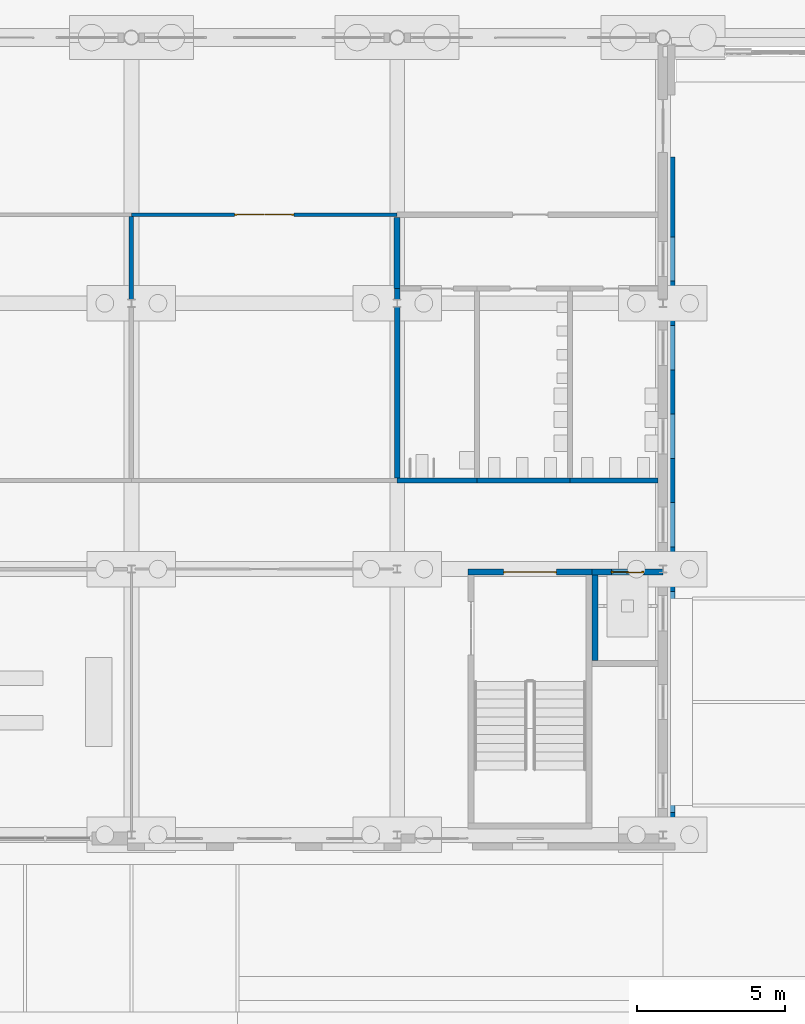
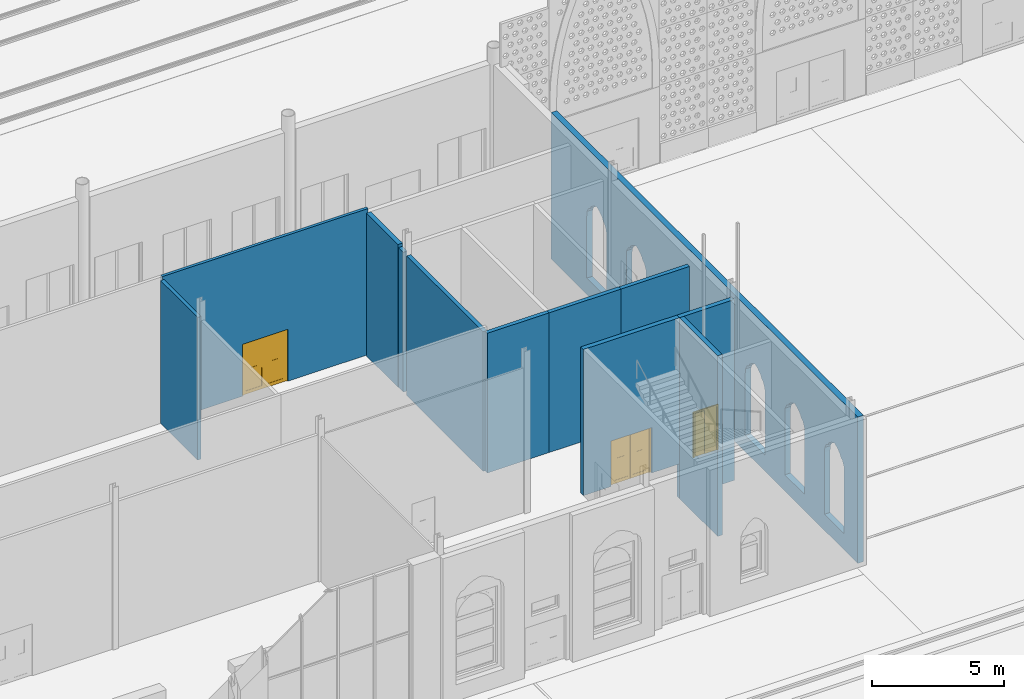
# One storey, part 117 of 250: 12 walls, 3 doors, 3 openings.
"""IFC4 building model written with IfcOpenShell, lengths in metres."""

from ifc_helpers import new_model, si_unit, direction, frame, frame_2d, origin, place, context, subcontext, project, spatial, polyline, rectangle, outline, extrude, material, layer, layer_set, type_object, element, fill, save


model = new_model("IFC4")

# Units and contexts
model_context = context("Model", 3, precision=1e-05, world=origin(), true_north=direction((0.0, 1.0)))
body_context = subcontext(model_context, "Body", "Model", "MODEL_VIEW")
ifc_project = project(units=[si_unit("LENGTHUNIT", "METRE"), si_unit("AREAUNIT", "SQUARE_METRE"), si_unit("VOLUMEUNIT", "CUBIC_METRE"), si_unit("PLANEANGLEUNIT", "RADIAN"), si_unit("MASSUNIT", "GRAM", prefix="KILO")], contexts=[model_context])

# Site, building, storey
site_placement = place(None, origin())
site = spatial("IfcSite", under=ifc_project, at=site_placement, CompositionType="ELEMENT")
building_placement = place(site_placement, origin())
building = spatial("IfcBuilding", under=site, at=building_placement, Name="Baradari Gate Terminus", CompositionType="ELEMENT")
storey_placement = place(building_placement, origin())
storey = spatial("IfcBuildingStorey", under=building, at=storey_placement, Name="L00", CompositionType="ELEMENT", Elevation=0.0)

# Wall, opening, door
ifc_material_1 = material(Name="Gypsum board")
ifc_layer_1 = layer(ifc_material_1, 0.125)
ifc_layer_set_1 = layer_set([ifc_layer_1], Name="Gypsum board")
wall_type_1 = type_object("IfcWallType", Name="Corridor partition PT-5 125 EI 30", PredefinedType="PARTITIONING", material=ifc_layer_set_1)
wall_1_placement = place(storey_placement, frame((144.0, 30.0, 0.0), z_axis=(0.0, 0.0, 1.0), x_axis=(-1.0, 0.0, 0.0)))
wall_1 = element("IfcWall", 1, at=wall_1_placement, inside=storey, type_object=wall_type_1, Name="PT-5 partition Corridor (Platform Passage South) / Staff Mess", PredefinedType="PARTITIONING", context=body_context, shape_type="SweptSolid", body=[
    extrude(rectangle(XDim=9.0, YDim=0.125, at=frame_2d((4.5, 0.0))), origin(), (0.0, 0.0, 1.0), 6.757080078125),
])
opening_1_placement = place(wall_1_placement, frame((3.5, 0.0, 0.0)))
opening_1 = element("IfcOpeningElement", 2, at=opening_1_placement, cuts=wall_1, Name="Opening D00-136", PredefinedType="OPENING", context=body_context, shape_type="SweptSolid", body=[
    extrude(rectangle(XDim=2.0, YDim=2.39990234375, at=frame_2d((1.0, 1.199951171875))), frame((0.0, 0.072509765625, 0.0), z_axis=(0.0, -1.0, 0.0), x_axis=(1.0, 0.0, 0.0)), (0.0, 0.0, 1.0), 0.14501953125),
])
ifc_material_2 = material(Name="Steel S275", Category="steel")
door_type_1 = type_object("IfcDoorType", Name="Fire door FI-2000x2400-FD30S 2000x2400 FD30S", OperationType="DOUBLE_DOOR_SINGLE_SWING", PredefinedType="DOOR", material=ifc_material_2)
door_1_placement = place(opening_1_placement, frame((2.0, 0.0, 0.0), z_axis=(0.0, 0.0, 1.0), x_axis=(-1.0, 0.0, 0.0)))
door_1 = element("IfcDoor", 3, at=door_1_placement, inside=storey, type_object=door_type_1, Name="Door Staff Mess", OperationType="DOUBLE_DOOR_SINGLE_SWING", OverallHeight=2.4, OverallWidth=2.0, PredefinedType="DOOR", context=body_context, shape_type="SweptSolid", body=[
    extrude(outline(polyline([(0.0, 0.0), (0.070068359375, 0.0), (0.070068359375, 2.329833984375), (1.929931640625, 2.329833984375), (1.929931640625, 0.0), (2.0, 0.0), (2.0, 2.39990234375), (0.0, 2.39990234375), (0.0, 0.0)])), frame((0.0, 0.02490234375, 0.0), z_axis=(0.0, -1.0, 0.0), x_axis=(1.0, 0.0, 0.0)), (0.0, 0.0, 1.0), 0.050048828125),
    extrude(outline(polyline([(0.073974609375, 0.010009765625), (0.9970703125, 0.010009765625), (0.9970703125, 2.325927734375), (0.073974609375, 2.325927734375), (0.073974609375, 0.010009765625)]), holes=[polyline([(0.194091796875, 0.159912109375), (0.876953125, 0.159912109375), (0.876953125, 1.010009765625), (0.194091796875, 1.010009765625), (0.194091796875, 0.159912109375)]), polyline([(0.385498046875, 1.159912109375), (0.685546875, 1.159912109375), (0.685546875, 1.760009765625), (0.385498046875, 1.760009765625), (0.385498046875, 1.159912109375)])]), frame((0.0, 0.017333984375, 0.0), z_axis=(0.0, -1.0, 0.0), x_axis=(1.0, 0.0, 0.0)), (0.0, 0.0, 1.0), 0.034912109375),
    extrude(rectangle(XDim=0.682861328125, YDim=0.85009765625, at=frame_2d((0.53564453125, 0.5849609375))), frame((0.0, 0.008544921875, 0.0), z_axis=(0.0, -1.0, 0.0), x_axis=(1.0, 0.0, 0.0)), (0.0, 0.0, 1.0), 0.017333984375),
    extrude(rectangle(XDim=0.300048828125, YDim=0.60009765625, at=frame_2d((0.53564453125, 1.4599609375))), frame((0.0, 0.005859375, 0.0), z_axis=(0.0, -1.0, 0.0), x_axis=(1.0, 0.0, 0.0)), (0.0, 0.0, 1.0), 0.011962890625),
    extrude(outline(polyline([(1.0029296875, 0.010009765625), (1.926025390625, 0.010009765625), (1.926025390625, 2.325927734375), (1.0029296875, 2.325927734375), (1.0029296875, 0.010009765625)]), holes=[polyline([(1.123046875, 0.159912109375), (1.805908203125, 0.159912109375), (1.805908203125, 1.010009765625), (1.123046875, 1.010009765625), (1.123046875, 0.159912109375)]), polyline([(1.314453125, 1.159912109375), (1.614501953125, 1.159912109375), (1.614501953125, 1.760009765625), (1.314453125, 1.760009765625), (1.314453125, 1.159912109375)])]), frame((0.0, 0.017333984375, 0.0), z_axis=(0.0, -1.0, 0.0), x_axis=(1.0, 0.0, 0.0)), (0.0, 0.0, 1.0), 0.034912109375),
    extrude(rectangle(XDim=0.682861328125, YDim=0.85009765625, at=frame_2d((1.46435546875, 0.5849609375))), frame((0.0, 0.008544921875, 0.0), z_axis=(0.0, -1.0, 0.0), x_axis=(1.0, 0.0, 0.0)), (0.0, 0.0, 1.0), 0.017333984375),
    extrude(rectangle(XDim=0.300048828125, YDim=0.60009765625, at=frame_2d((1.46435546875, 1.4599609375))), frame((0.0, 0.005859375, 0.0), z_axis=(0.0, -1.0, 0.0), x_axis=(1.0, 0.0, 0.0)), (0.0, 0.0, 1.0), 0.011962890625),
])
fill(opening_1, door_1)

# Wall
ifc_material_3 = material(Name="Laterite masonry", Category="masonry")
ifc_layer_2 = layer(ifc_material_3, 0.25)
ifc_layer_set_2 = layer_set([ifc_layer_2], Name="Laterite masonry")
wall_type_2 = type_object("IfcWallType", Name="Laterite masonry wall WP-1 250", PredefinedType="SOLIDWALL", material=ifc_layer_set_2)
wall_2_placement = place(storey_placement, frame((153.284912109375, 8.72998046875, 0.0), z_axis=(0.0, 0.0, 1.0), x_axis=(0.0, 1.0, 0.0)))
element("IfcWall", 4, at=wall_2_placement, inside=storey, type_object=wall_type_2, Name="Front course SE 1a 1", PredefinedType="SOLIDWALL", context=body_context, shape_type="SweptSolid", body=[
    extrude(outline(polyline([(0.0, 0.0), (23.219970703125, 0.0), (23.219970703125, 6.767333984375), (0.0, 6.767333984375), (0.0, 0.0)]), holes=[polyline([(1.0498046875, 3.85205078125), (1.169921875, 4.068115234375), (1.27490234375, 4.1220703125), (1.364990234375, 4.26611328125), (1.559814453125, 4.409912109375), (1.77001953125, 4.5), (1.97998046875, 4.409912109375), (2.1748046875, 4.26611328125), (2.264892578125, 4.1220703125), (2.369873046875, 4.068115234375), (2.489990234375, 3.85205078125), (2.52001953125, 3.60009765625), (2.52001953125, 0.75), (1.02001953125, 0.75), (1.02001953125, 3.60009765625), (1.0498046875, 3.85205078125)]), polyline([(4.169921875, 4.068115234375), (4.27490234375, 4.1220703125), (4.364990234375, 4.26611328125), (4.559814453125, 4.409912109375), (4.77001953125, 4.5), (4.97998046875, 4.409912109375), (5.1748046875, 4.26611328125), (5.264892578125, 4.1220703125), (5.369873046875, 4.068115234375), (5.489990234375, 3.85205078125), (5.52001953125, 3.60009765625), (5.52001953125, 0.75), (4.02001953125, 0.75), (4.02001953125, 3.60009765625), (4.0498046875, 3.85205078125), (4.169921875, 4.068115234375)]), polyline([(7.169921875, 4.068115234375), (7.27490234375, 4.1220703125), (7.364990234375, 4.26611328125), (7.559814453125, 4.409912109375), (7.77001953125, 4.5), (7.97998046875, 4.409912109375), (8.1748046875, 4.26611328125), (8.264892578125, 4.1220703125), (8.369873046875, 4.068115234375), (8.489990234375, 3.85205078125), (8.52001953125, 3.60009765625), (8.52001953125, 0.75), (7.02001953125, 0.75), (7.02001953125, 3.60009765625), (7.0498046875, 3.85205078125), (7.169921875, 4.068115234375)]), polyline([(10.169921875, 4.068115234375), (10.27490234375, 4.1220703125), (10.364990234375, 4.26611328125), (10.56005859375, 4.409912109375), (10.77001953125, 4.5), (10.97998046875, 4.409912109375), (11.175048828125, 4.26611328125), (11.264892578125, 4.1220703125), (11.3701171875, 4.068115234375), (11.489990234375, 3.85205078125), (11.52001953125, 3.60009765625), (11.52001953125, 0.75), (10.02001953125, 0.75), (10.02001953125, 3.60009765625), (10.050048828125, 3.85205078125), (10.169921875, 4.068115234375)]), polyline([(13.169921875, 4.068115234375), (13.27490234375, 4.1220703125), (13.364990234375, 4.26611328125), (13.559814453125, 4.409912109375), (13.77001953125, 4.5), (13.97998046875, 4.409912109375), (14.1748046875, 4.26611328125), (14.264892578125, 4.1220703125), (14.369873046875, 4.068115234375), (14.489990234375, 3.85205078125), (14.52001953125, 3.60009765625), (14.52001953125, 0.75), (13.02001953125, 0.75), (13.02001953125, 3.60009765625), (13.0498046875, 3.85205078125), (13.169921875, 4.068115234375)]), polyline([(16.169921875, 4.068115234375), (16.27490234375, 4.1220703125), (16.364990234375, 4.26611328125), (16.56005859375, 4.409912109375), (16.77001953125, 4.5), (16.97998046875, 4.409912109375), (17.175048828125, 4.26611328125), (17.264892578125, 4.1220703125), (17.3701171875, 4.068115234375), (17.489990234375, 3.85205078125), (17.52001953125, 3.60009765625), (17.52001953125, 0.75), (16.02001953125, 0.75), (16.02001953125, 3.60009765625), (16.050048828125, 3.85205078125), (16.169921875, 4.068115234375)]), polyline([(19.169921875, 4.068115234375), (19.27490234375, 4.1220703125), (19.364990234375, 4.26611328125), (19.56005859375, 4.409912109375), (19.77001953125, 4.5), (19.97998046875, 4.409912109375), (20.175048828125, 4.26611328125), (20.264892578125, 4.1220703125), (20.3701171875, 4.068115234375), (20.489990234375, 3.85205078125), (20.52001953125, 3.60009765625), (20.52001953125, 0.75), (19.02001953125, 0.75), (19.02001953125, 3.60009765625), (19.050048828125, 3.85205078125), (19.169921875, 4.068115234375)])]), frame((0.0, 0.125, 0.0), z_axis=(0.0, -1.0, 0.0), x_axis=(1.0, 0.0, 0.0)), (0.0, 0.0, 1.0), 0.25),
])

# Wall, opening, door
ifc_material_4 = material(Name="Blockwork wall, fire rated", Category="masonry")
ifc_layer_3 = layer(ifc_material_4, 0.199951171875)
ifc_layer_set_3 = layer_set([ifc_layer_3], Name="Blockwork wall, fire rated")
wall_type_3 = type_object("IfcWallType", Name="Lift shaft wall SH-1 200 EI 120", PredefinedType="SOLIDWALL", material=ifc_layer_set_3)
wall_3_placement = place(storey_placement, frame((150.60205078125, 17.89990234375, -1.60009765625), z_axis=(0.0, 0.0, 1.0), x_axis=(1.0, 0.0, 0.0)))
wall_3 = element("IfcWall", 5, at=wall_3_placement, inside=storey, type_object=wall_type_3, Name="Lift shaft wall LSW2 L00 N", PredefinedType="SOLIDWALL", context=body_context, shape_type="SweptSolid", body=[
    extrude(rectangle(XDim=2.39794921875, YDim=0.199951171875, at=frame_2d((1.198974609375, 0.0))), origin(), (0.0, 0.0, 1.0), 8.357177734375),
])
opening_2_placement = place(wall_3_placement, frame((0.64794921875, 0.0, 1.60009765625)))
opening_2 = element("IfcOpeningElement", 6, at=opening_2_placement, cuts=wall_3, Name="Opening D00-080", PredefinedType="OPENING", context=body_context, shape_type="SweptSolid", body=[
    extrude(rectangle(XDim=1.10009765625, YDim=2.10009765625, at=frame_2d((0.550048828125, 1.050048828125))), frame((0.0, 0.10986328125, 0.0), z_axis=(0.0, -1.0, 0.0), x_axis=(1.0, 0.0, 0.0)), (0.0, 0.0, 1.0), 0.219970703125),
])
ifc_material_5 = material(Name="Stainless steel 1.4301", Category="steel")
door_type_2 = type_object("IfcDoorType", Name="Lift landing door LD 1100x2100 E 120", OperationType="SLIDING_TO_LEFT", PredefinedType="DOOR", material=ifc_material_5)
door_2_placement = place(opening_2_placement, origin())
door_2 = element("IfcDoor", 7, at=door_2_placement, inside=storey, type_object=door_type_2, Name="Lift landing door LSW2 L00", OperationType="SLIDING_TO_LEFT", OverallHeight=2.1, OverallWidth=1.1, PredefinedType="DOOR", context=body_context, shape_type="SweptSolid", body=[
    extrude(outline(polyline([(0.0, 0.0), (0.070068359375, 0.0), (0.070068359375, 2.030029296875), (1.030029296875, 2.030029296875), (1.030029296875, 0.0), (1.10009765625, 0.0), (1.10009765625, 2.10009765625), (0.0, 2.10009765625), (0.0, 0.0)])), frame((0.0, 0.02490234375, 0.0), z_axis=(0.0, -1.0, 0.0), x_axis=(1.0, 0.0, 0.0)), (0.0, 0.0, 1.0), 0.050048828125),
    extrude(rectangle(XDim=0.523681640625, YDim=2.01611328125, at=frame_2d((0.3359375, 1.01806640625))), frame((0.0, 0.017822265625, 0.0), z_axis=(0.0, -1.0, 0.0), x_axis=(1.0, 0.0, 0.0)), (0.0, 0.0, 1.0), 0.015869140625),
    extrude(rectangle(XDim=0.519775390625, YDim=2.01611328125, at=frame_2d((0.76611328125, 1.01806640625))), frame((0.0, -0.002197265625, 0.0), z_axis=(0.0, -1.0, 0.0), x_axis=(1.0, 0.0, 0.0)), (0.0, 0.0, 1.0), 0.015869140625),
])
fill(opening_2, door_2)

# Walls
wall_4_placement = place(storey_placement, frame((150.699951171875, 14.89990234375, -1.60009765625), z_axis=(0.0, 0.0, 1.0), x_axis=(0.0, 1.0, 0.0)))
element("IfcWall", 8, at=wall_4_placement, inside=storey, type_object=wall_type_3, Name="Lift shaft wall LSW2 L00 W", PredefinedType="SOLIDWALL", context=body_context, shape_type="SweptSolid", body=[
    extrude(rectangle(XDim=2.900146484375, YDim=0.199951171875, at=frame_2d((1.4501953125, 0.0))), origin(), (0.0, 0.0, 1.0), 8.357177734375),
])
ifc_material_6 = material(Name="Blockwork wall, plastered, fire rated", Category="masonry")
ifc_layer_4 = layer(ifc_material_6, 0.199951171875)
ifc_layer_set_4 = layer_set([ifc_layer_4], Name="Blockwork wall, plastered, fire rated")
wall_type_4 = type_object("IfcWallType", Name="Lobby partition PT-4 200 EI 60", PredefinedType="PARTITIONING", material=ifc_layer_set_4)
wall_5_placement = place(storey_placement, frame((144.0, 29.89990234375, 0.0), z_axis=(0.0, 0.0, 1.0), x_axis=(0.0, -1.0, 0.0)))
element("IfcWall", 9, at=wall_5_placement, inside=storey, type_object=wall_type_4, Name="PT-4 partition Staff Mess / WC Lobby", PredefinedType="PARTITIONING", context=body_context, shape_type="SweptSolid", body=[
    extrude(rectangle(XDim=2.39990234375, YDim=0.199951171875, at=frame_2d((1.199951171875, 0.0))), origin(), (0.0, 0.0, 1.0), 6.60009765625),
])
ifc_material_7 = material(Name="Blockwork wall, plastered", Category="masonry")
ifc_layer_5 = layer(ifc_material_7, 0.14990234375)
ifc_layer_set_5 = layer_set([ifc_layer_5], Name="Blockwork wall, plastered")
wall_type_5 = type_object("IfcWallType", Name="Partition PT-2 150 EI 60", PredefinedType="PARTITIONING", material=ifc_layer_set_5)
wall_6_placement = place(storey_placement, frame((135.0, 29.9375, 0.0), z_axis=(0.0, 0.0, 1.0), x_axis=(0.0, -1.0, 0.0)))
element("IfcWall", 10, at=wall_6_placement, inside=storey, type_object=wall_type_5, Name="PT-2 partition Baggage Hall / Staff Mess", PredefinedType="PARTITIONING", context=body_context, shape_type="SweptSolid", body=[
    extrude(rectangle(XDim=2.807373046875, YDim=0.14990234375, at=frame_2d((1.40380859375, 0.0))), origin(), (0.0, 0.0, 1.0), 6.60009765625),
])

# Wall, opening, door
ifc_material_8 = material(Name="Concrete C40/50", Category="concrete")
ifc_layer_6 = layer(ifc_material_8, 0.199951171875)
ifc_layer_set_6 = layer_set([ifc_layer_6], Name="Concrete C40/50")
wall_type_6 = type_object("IfcWallType", Name="Stair enclosure wall SE-5 200 EI 120", PredefinedType="SOLIDWALL", material=ifc_layer_set_6)
wall_7_placement = place(storey_placement, frame((146.39990234375, 17.89990234375, 0.0), z_axis=(0.0, 0.0, 1.0), x_axis=(1.0, 0.0, 0.0)))
wall_7 = element("IfcWall", 11, at=wall_7_placement, inside=storey, type_object=wall_type_6, Name="Stair enclosure wall SE-5 ST-SW2 L00 N", PredefinedType="SOLIDWALL", context=body_context, shape_type="SweptSolid", body=[
    extrude(rectangle(XDim=4.2001953125, YDim=0.199951171875, at=frame_2d((2.10009765625, 0.0))), origin(), (0.0, 0.0, 1.0), 6.757080078125),
])
opening_3_placement = place(wall_7_placement, frame((1.199951171875, 0.0, 0.0)))
opening_3 = element("IfcOpeningElement", 12, at=opening_3_placement, cuts=wall_7, Name="Opening D00-151", PredefinedType="OPENING", context=body_context, shape_type="SweptSolid", body=[
    extrude(rectangle(XDim=1.800048828125, YDim=2.10009765625, at=frame_2d((0.89990234375, 1.050048828125))), frame((0.0, 0.10986328125, 0.0), z_axis=(0.0, -1.0, 0.0), x_axis=(1.0, 0.0, 0.0)), (0.0, 0.0, 1.0), 0.219970703125),
])
ifc_material_9 = material(Name="Steel S275", Category="steel")
door_type_3 = type_object("IfcDoorType", Name="Fire door FI-1800-FD90S 1800x2100 FD90S", OperationType="DOUBLE_DOOR_SINGLE_SWING", PredefinedType="DOOR", material=ifc_material_9)
door_3_placement = place(opening_3_placement, frame((1.800048828125, 0.0, 0.0), z_axis=(0.0, 0.0, 1.0), x_axis=(-1.0, 0.0, 0.0)))
door_3 = element("IfcDoor", 13, at=door_3_placement, inside=storey, type_object=door_type_3, Name="Door Stair (South Wing) 2", OperationType="DOUBLE_DOOR_SINGLE_SWING", OverallHeight=2.1, OverallWidth=1.8, PredefinedType="DOOR", context=body_context, shape_type="SweptSolid", body=[
    extrude(outline(polyline([(0.0, 0.0), (0.070068359375, 0.0), (0.070068359375, 2.030029296875), (1.72998046875, 2.030029296875), (1.72998046875, 0.0), (1.800048828125, 0.0), (1.800048828125, 2.10009765625), (0.0, 2.10009765625), (0.0, 0.0)])), frame((0.0, 0.02490234375, 0.0), z_axis=(0.0, -1.0, 0.0), x_axis=(1.0, 0.0, 0.0)), (0.0, 0.0, 1.0), 0.050048828125),
    extrude(outline(polyline([(0.073974609375, 0.010009765625), (0.89697265625, 0.010009765625), (0.89697265625, 2.026123046875), (0.073974609375, 2.026123046875), (0.073974609375, 0.010009765625)]), holes=[polyline([(0.194091796875, 0.159912109375), (0.77685546875, 0.159912109375), (0.77685546875, 1.010009765625), (0.194091796875, 1.010009765625), (0.194091796875, 0.159912109375)]), polyline([(0.33544921875, 1.159912109375), (0.635498046875, 1.159912109375), (0.635498046875, 1.760009765625), (0.33544921875, 1.760009765625), (0.33544921875, 1.159912109375)])]), frame((0.0, 0.017333984375, 0.0), z_axis=(0.0, -1.0, 0.0), x_axis=(1.0, 0.0, 0.0)), (0.0, 0.0, 1.0), 0.034912109375),
    extrude(rectangle(XDim=0.582763671875, YDim=0.85009765625, at=frame_2d((0.4853515625, 0.5849609375))), frame((0.0, 0.008544921875, 0.0), z_axis=(0.0, -1.0, 0.0), x_axis=(1.0, 0.0, 0.0)), (0.0, 0.0, 1.0), 0.017333984375),
    extrude(rectangle(XDim=0.300048828125, YDim=0.60009765625, at=frame_2d((0.4853515625, 1.4599609375))), frame((0.0, 0.005859375, 0.0), z_axis=(0.0, -1.0, 0.0), x_axis=(1.0, 0.0, 0.0)), (0.0, 0.0, 1.0), 0.011962890625),
    extrude(outline(polyline([(0.903076171875, 0.010009765625), (1.72607421875, 0.010009765625), (1.72607421875, 2.026123046875), (0.903076171875, 2.026123046875), (0.903076171875, 0.010009765625)]), holes=[polyline([(1.023193359375, 0.159912109375), (1.60595703125, 0.159912109375), (1.60595703125, 1.010009765625), (1.023193359375, 1.010009765625), (1.023193359375, 0.159912109375)]), polyline([(1.16455078125, 1.159912109375), (1.464599609375, 1.159912109375), (1.464599609375, 1.760009765625), (1.16455078125, 1.760009765625), (1.16455078125, 1.159912109375)])]), frame((0.0, 0.017333984375, 0.0), z_axis=(0.0, -1.0, 0.0), x_axis=(1.0, 0.0, 0.0)), (0.0, 0.0, 1.0), 0.034912109375),
    extrude(rectangle(XDim=0.582763671875, YDim=0.85009765625, at=frame_2d((1.314453125, 0.5849609375))), frame((0.0, 0.008544921875, 0.0), z_axis=(0.0, -1.0, 0.0), x_axis=(1.0, 0.0, 0.0)), (0.0, 0.0, 1.0), 0.017333984375),
    extrude(rectangle(XDim=0.300048828125, YDim=0.60009765625, at=frame_2d((1.314453125, 1.4599609375))), frame((0.0, 0.005859375, 0.0), z_axis=(0.0, -1.0, 0.0), x_axis=(1.0, 0.0, 0.0)), (0.0, 0.0, 1.0), 0.011962890625),
])
fill(opening_3, door_3)

# Walls
ifc_material_10 = material(Name="Blockwork wall, tiled both faces", Category="masonry")
ifc_layer_7 = layer(ifc_material_10, 0.175048828125)
ifc_layer_set_7 = layer_set([ifc_layer_7], Name="Blockwork wall, tiled both faces")
wall_type_7 = type_object("IfcWallType", Name="WC wet wall PT-6 175 EI 60", PredefinedType="PARTITIONING", material=ifc_layer_set_7)
wall_8_placement = place(storey_placement, frame((144.0, 21.0, 0.0), z_axis=(0.0, 0.0, 1.0), x_axis=(1.0, 0.0, 0.0)))
element("IfcWall", 14, at=wall_8_placement, inside=storey, type_object=wall_type_7, Name="PT-6 partition Corridor (Service Corridor South) / Accessible WC", PredefinedType="PARTITIONING", context=body_context, shape_type="SweptSolid", body=[
    extrude(rectangle(XDim=2.699951171875, YDim=0.175048828125, at=frame_2d((1.35009765625, 0.0))), origin(), (0.0, 0.0, 1.0), 6.458984375),
])
wall_9_placement = place(storey_placement, frame((146.699951171875, 21.0, 0.0), z_axis=(0.0, 0.0, 1.0), x_axis=(1.0, 0.0, 0.0)))
element("IfcWall", 15, at=wall_9_placement, inside=storey, type_object=wall_type_7, Name="PT-6 partition Corridor (Service Corridor South) / Male WC", PredefinedType="PARTITIONING", context=body_context, shape_type="SweptSolid", body=[
    extrude(rectangle(XDim=3.150146484375, YDim=0.175048828125, at=frame_2d((1.5751953125, 0.0))), origin(), (0.0, 0.0, 1.0), 6.458984375),
])
wall_10_placement = place(storey_placement, frame((149.85009765625, 21.0, 0.0), z_axis=(0.0, 0.0, 1.0), x_axis=(1.0, 0.0, 0.0)))
element("IfcWall", 16, at=wall_10_placement, inside=storey, type_object=wall_type_7, Name="PT-6 partition Corridor (Service Corridor South) / Female WC", PredefinedType="PARTITIONING", context=body_context, shape_type="SweptSolid", body=[
    extrude(rectangle(XDim=2.98779296875, YDim=0.175048828125, at=frame_2d((1.493896484375, 0.0))), origin(), (0.0, 0.0, 1.0), 6.458984375),
])
wall_11_placement = place(storey_placement, frame((144.0, 27.5, 0.0), z_axis=(0.0, 0.0, 1.0), x_axis=(0.0, -1.0, 0.0)))
element("IfcWall", 17, at=wall_11_placement, inside=storey, type_object=wall_type_7, Name="PT-6 partition Staff Mess / Accessible WC", PredefinedType="PARTITIONING", context=body_context, shape_type="SweptSolid", body=[
    extrude(rectangle(XDim=0.369873046875, YDim=0.175048828125, at=frame_2d((0.18505859375, 0.0))), origin(), (0.0, 0.0, 1.0), 6.458984375),
])
wall_12_placement = place(storey_placement, frame((144.0, 26.869873046875, 0.0), z_axis=(0.0, 0.0, 1.0), x_axis=(0.0, -1.0, 0.0)))
element("IfcWall", 18, at=wall_12_placement, inside=storey, type_object=wall_type_7, Name="PT-6 partition Staff Mess / Accessible WC", PredefinedType="PARTITIONING", context=body_context, shape_type="SweptSolid", body=[
    extrude(rectangle(XDim=5.782470703125, YDim=0.175048828125, at=frame_2d((2.89111328125, 0.0))), origin(), (0.0, 0.0, 1.0), 6.458984375),
])

save(model, "model.ifc")
